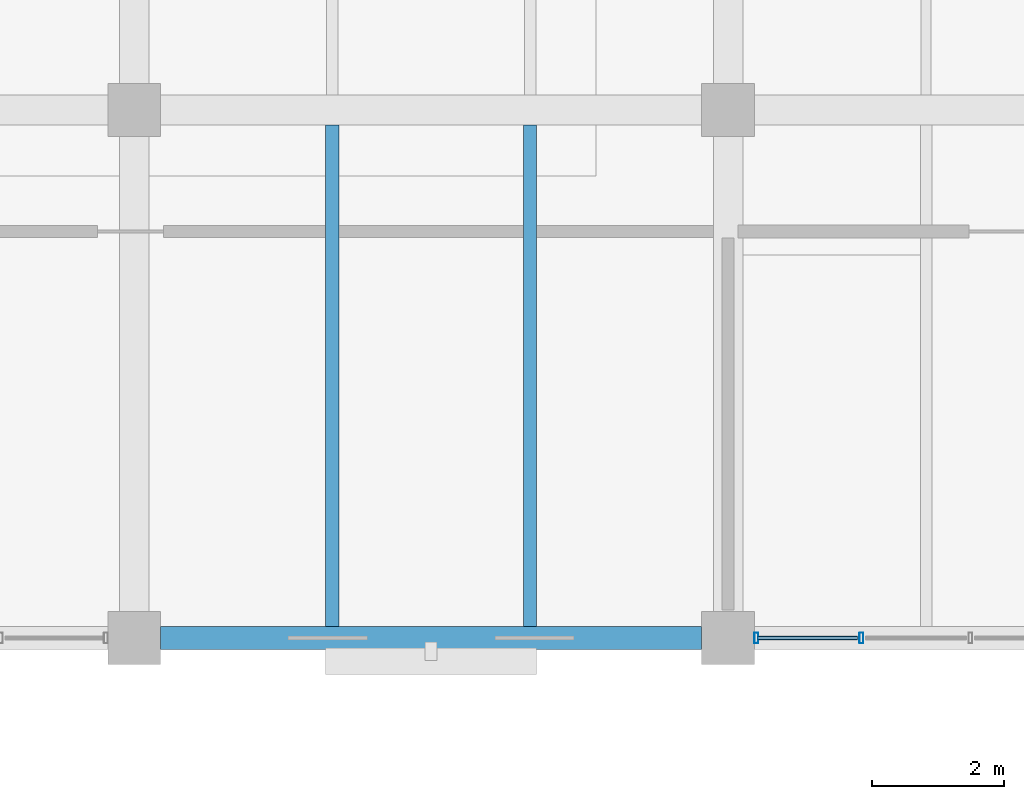
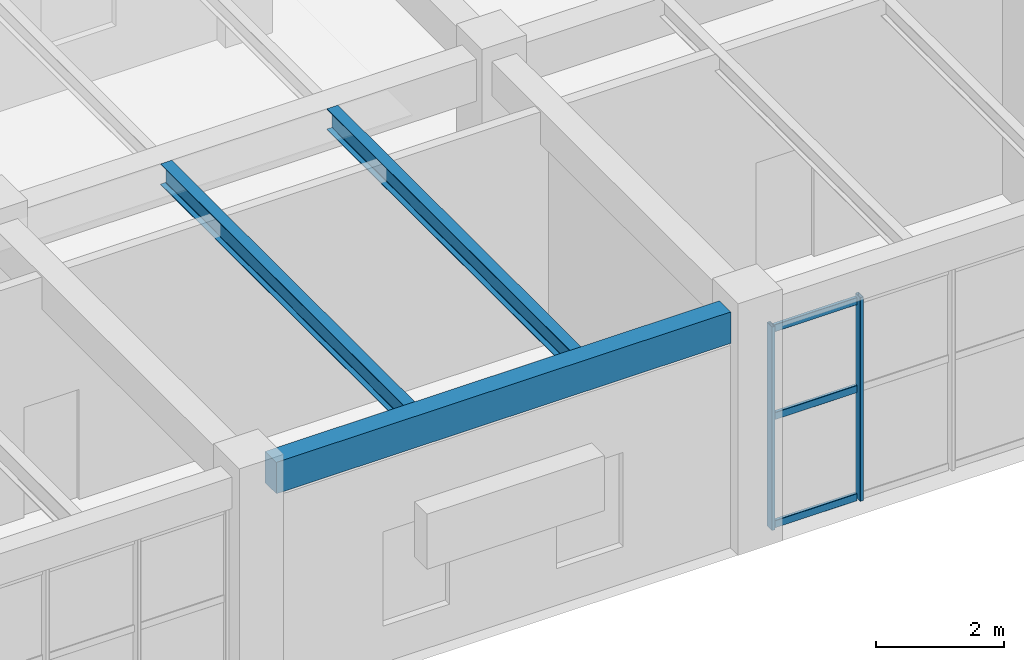
# One storey, part 110 of 178: 5 members, 3 beams, 1 element without a shape of its own.
"""IFC4 building model written with IfcOpenShell, lengths in metres."""

import ifcopenshell
import ifcopenshell.guid

model = None  # the IFC model being written
_history = None  # IfcOwnerHistory: only IFC2X3 demands one
_inside = {}  # id of a spatial element -> (the spatial element, [elements in it])
_under = {}  # id of a project, library or spatial element -> (it, [spatial elements below it])
_declared = {}  # id of a project -> (the project, [libraries it declares])
_typed = {}  # id of a type object -> (the type object, [elements of that type])
_made_of = {}  # id of a material, layer set ... -> (it, [elements and type objects made of it])


def new_model(schema):
    """Start an empty IFC model of exactly this schema.

    Asked for "IFC4X3", IfcOpenShell would pick the latest addendum, in which some entities
    have other attributes; the version numbers below select the first issue.
    IFC2X3 requires an IfcOwnerHistory on every rooted entity: one is made here for all.
    """
    global model, _history
    if schema == "IFC4X3":
        model = ifcopenshell.file(schema_version=(4, 3, 0, 0))
    else:
        model = ifcopenshell.file(schema=schema)
    _inside.clear()
    _under.clear()
    _declared.clear()
    _typed.clear()
    _made_of.clear()
    _history = None
    if model.schema == "IFC2X3":
        org = make("IfcOrganization", Name="unknown")
        user = make(
            "IfcPersonAndOrganization",
            ThePerson=make("IfcPerson", FamilyName="unknown"),
            TheOrganization=org,
        )
        app = make(
            "IfcApplication",
            ApplicationDeveloper=org,
            Version="unknown",
            ApplicationFullName="unknown",
            ApplicationIdentifier="unknown",
        )
        _history = make(
            "IfcOwnerHistory",
            OwningUser=user,
            OwningApplication=app,
            ChangeAction="ADDED",
            CreationDate=0,
        )
    return model


def make(cls, **values):
    """One entity of the class cls with the attributes given. An attribute that is None is left unset."""
    return model.create_entity(
        cls, **{name: value for name, value in values.items() if value is not None}
    )


def rooted(cls, **values):
    """An entity with a GlobalId (a new one), such as an element, a storey or a relation."""
    return make(cls, GlobalId=ifcopenshell.guid.new(), OwnerHistory=_history, **values)


def si_unit(unit_type, name, prefix=None):
    """IfcSIUnit, for example si_unit("LENGTHUNIT", "METRE", prefix="MILLI")."""
    return make("IfcSIUnit", UnitType=unit_type, Prefix=prefix, Name=name)


def derived_unit(unit_type, elements):
    """IfcDerivedUnit: a product of units, each with its exponent."""
    return make(
        "IfcDerivedUnit",
        Elements=[
            make("IfcDerivedUnitElement", Unit=unit, Exponent=power)
            for unit, power in elements
        ],
        UnitType=unit_type,
    )


def assignment(units):
    """IfcUnitAssignment: the units of a project."""
    return None if units is None else make("IfcUnitAssignment", Units=units)


def point(xyz):
    """IfcCartesianPoint."""
    return None if xyz is None else make("IfcCartesianPoint", Coordinates=xyz)


def direction(xyz):
    """IfcDirection."""
    return None if xyz is None else make("IfcDirection", DirectionRatios=xyz)


def frame(location, z_axis=None, x_axis=None):
    """IfcAxis2Placement3D, a coordinate frame: its origin and axes. An axis left out is left unset."""
    return make(
        "IfcAxis2Placement3D",
        Location=point(location),
        Axis=direction(z_axis),
        RefDirection=direction(x_axis),
    )


def frame_2d(location, x_axis=None):
    """IfcAxis2Placement2D, a coordinate frame in the plane: its origin and x axis."""
    return make(
        "IfcAxis2Placement2D", Location=point(location), RefDirection=direction(x_axis)
    )


def origin():
    """The frame at (0, 0, 0) with its axes left unset."""
    return frame((0.0, 0.0, 0.0))


def origin_2d():
    """The frame at (0, 0) in the plane with its x axis left unset."""
    return frame_2d((0.0, 0.0))


def place(relative_to, where):
    """IfcLocalPlacement: puts the frame where relative to a parent placement (None: the world)."""
    return make(
        "IfcLocalPlacement", PlacementRelTo=relative_to, RelativePlacement=where
    )


def context(
    kind, dimensions, precision=None, world=None, true_north=None, identifier=None
):
    """IfcGeometricRepresentationContext, for example the 3D "Model" context."""
    return make(
        "IfcGeometricRepresentationContext",
        ContextIdentifier=identifier,
        ContextType=kind,
        CoordinateSpaceDimension=dimensions,
        Precision=precision,
        WorldCoordinateSystem=world,
        TrueNorth=true_north,
    )


def subcontext(parent, identifier, kind, view, scale=None):
    """IfcGeometricRepresentationSubContext, for example "Body" below "Model"."""
    return make(
        "IfcGeometricRepresentationSubContext",
        ContextIdentifier=identifier,
        ContextType=kind,
        ParentContext=parent,
        TargetScale=scale,
        TargetView=view,
    )


def project(units=None, contexts=None):
    """IfcProject with its units and contexts."""
    return rooted(
        "IfcProject",
        Name="project",
        RepresentationContexts=contexts,
        UnitsInContext=assignment(units),
    )


def spatial(cls, under=None, at=None, **own):
    """A site, building, storey or space (cls), placed at a placement, below another one or the project."""
    s = rooted(cls, ObjectPlacement=at, **own)
    if under is not None:
        _under.setdefault(under.id(), (under, []))[1].append(s)
    return s


def profile(cls, at=None, kind="AREA", **sizes):
    """A parametric profile (cls). Its sizes go by their IFC names, for example OverallWidth=200.0."""
    return make(cls, ProfileType=kind, Position=at, **sizes)


def rectangle(**sizes):
    """IfcRectangleProfileDef."""
    return profile("IfcRectangleProfileDef", **sizes)


def hollow_rectangle(**sizes):
    """IfcRectangleHollowProfileDef."""
    return profile("IfcRectangleHollowProfileDef", **sizes)


def i_section(**sizes):
    """IfcIShapeProfileDef."""
    return profile("IfcIShapeProfileDef", **sizes)


def extrude(swept, where, along, depth):
    """IfcExtrudedAreaSolid: the profile swept, set in the frame where, extruded along a direction by depth."""
    return make(
        "IfcExtrudedAreaSolid",
        SweptArea=swept,
        Position=where,
        ExtrudedDirection=direction(along),
        Depth=depth,
    )


def shape(context_of_items, identifier, shape_type, items):
    """IfcShapeRepresentation: the items that make up one representation, for example the "Body"."""
    return make(
        "IfcShapeRepresentation",
        ContextOfItems=context_of_items,
        RepresentationIdentifier=identifier,
        RepresentationType=shape_type,
        Items=items,
    )


def material(Name=None, Category=None):
    """IfcMaterial."""
    return make("IfcMaterial", Name=Name, Category=Category)


def material_profile(
    of_material, cross_section, Name=None, Category=None, Priority=None
):
    """IfcMaterialProfile: a cross section and its material."""
    return make(
        "IfcMaterialProfile",
        Name=Name,
        Material=of_material,
        Profile=cross_section,
        Priority=Priority,
        Category=Category,
    )


def profile_set(profiles, Name=None, composite=None):
    """IfcMaterialProfileSet."""
    return make(
        "IfcMaterialProfileSet",
        Name=Name,
        MaterialProfiles=profiles,
        CompositeProfile=composite,
    )


def made_of(thing, what):
    """Note that an element or type object is made of a material, layer set ...; save() writes the relation."""
    if what is not None:
        _made_of.setdefault(what.id(), (what, []))[1].append(thing)
    return thing


def type_object(cls, material=None, **own):
    """A type object (cls), such as IfcWallType, which elements share."""
    return made_of(rooted(cls, **own), material)


def element(
    cls,
    number,
    at=None,
    inside=None,
    cuts=None,
    type_object=None,
    material=None,
    context=None,
    identifier="Body",
    shape_type=None,
    held_by="IfcProductDefinitionShape",
    body=None,
    shapes=None,
    **own,
):
    """One element of the class cls, such as IfcWall. Its Tag is "e" and its number.

    at: its placement. inside: the storey or other place that contains it. cuts: it is an
    opening in that element (IfcRelVoidsElement). A single representation is given by context,
    identifier, shape_type and body (its items); several are given by shapes. held_by: the class
    of the entity that holds the representations. save() writes the other relations.
    """
    e = rooted(cls, Tag="e%d" % number, ObjectPlacement=at, **own)
    if body is not None:
        shapes = [shape(context, identifier, shape_type, body)]
    if shapes is not None:
        e.Representation = make(held_by, Representations=shapes)
    if inside is not None:
        _inside.setdefault(inside.id(), (inside, []))[1].append(e)
    if cuts is not None:
        rooted(
            "IfcRelVoidsElement", RelatingBuildingElement=cuts, RelatedOpeningElement=e
        )
    if type_object is not None:
        _typed.setdefault(type_object.id(), (type_object, []))[1].append(e)
    return made_of(e, material)


def aggregate(whole, parts):
    """IfcRelAggregates: a whole, such as a stair, and the parts it consists of."""
    return rooted("IfcRelAggregates", RelatingObject=whole, RelatedObjects=parts)


def save(model, path):
    """Write the relations noted so far, then the file.

    IfcRelAggregates (storeys below a building ...), IfcRelContainedInSpatialStructure (elements
    in a storey), IfcRelDefinesByType, IfcRelAssociatesMaterial and IfcRelDeclares: one each for
    every whole, place, type object, material and project.
    """
    for whole, parts in _under.values():
        aggregate(whole, parts)
    for where, things in _inside.values():
        rooted(
            "IfcRelContainedInSpatialStructure",
            RelatedElements=things,
            RelatingStructure=where,
        )
    for kind, things in _typed.values():
        rooted("IfcRelDefinesByType", RelatedObjects=things, RelatingType=kind)
    for what, things in _made_of.values():
        rooted("IfcRelAssociatesMaterial", RelatedObjects=things, RelatingMaterial=what)
    for by, libraries in _declared.values():
        rooted("IfcRelDeclares", RelatingContext=by, RelatedDefinitions=libraries)
    model.write(path)


model = new_model("IFC4")

# Units and contexts
model_context = context("Model", 3, precision=1e-05, world=origin(), true_north=direction((0.0, 1.0)))
body_context = subcontext(model_context, "Body", "Model", "MODEL_VIEW")
ifc_project = project(units=[si_unit("LENGTHUNIT", "METRE"), si_unit("AREAUNIT", "SQUARE_METRE"), si_unit("VOLUMEUNIT", "CUBIC_METRE"), si_unit("PLANEANGLEUNIT", "RADIAN"), si_unit("MASSUNIT", "GRAM", prefix="KILO"), derived_unit("THERMALTRANSMITTANCEUNIT", [(si_unit("MASSUNIT", "GRAM", prefix="KILO"), 1), (si_unit("TIMEUNIT", "SECOND"), -3), (si_unit("THERMODYNAMICTEMPERATUREUNIT", "KELVIN"), -1)])], contexts=[model_context])

# Site, building, storey
site_placement = place(None, origin())
site = spatial("IfcSite", under=ifc_project, at=site_placement, CompositionType="ELEMENT")
building_placement = place(site_placement, origin())
building = spatial("IfcBuilding", under=site, at=building_placement, Name="Zhenchuan Archway Interchange", CompositionType="ELEMENT")
storey_placement = place(building_placement, frame((0.0, 0.0, 5.39990234375)))
storey = spatial("IfcBuildingStorey", under=building, at=storey_placement, Name="L01", CompositionType="ELEMENT", Elevation=5.39990234375)

# Curtain wall, members
ifc_material_1 = material(Name="Anodised Aluminium", Category="aluminium")
curtain_wall_type = type_object("IfcCurtainWallType", Name="CW_UNIT_3", PredefinedType="NOTDEFINED", material=ifc_material_1)
curtain_wall_placement = place(storey_placement, origin())
curtain_wall = element("IfcCurtainWall", 1, at=curtain_wall_placement, inside=storey, type_object=curtain_wall_type, Name="Unitised curtain wall CW:L01:070", PredefinedType="NOTDEFINED")
ifc_material_profile_1 = material_profile(ifc_material_1, hollow_rectangle(XDim=0.06005859375, YDim=0.159912109375, WallThickness=0.00390625, InnerFilletRadius=0.00390625, OuterFilletRadius=0.008056640625, at=origin_2d()), Name="ALU 160x60x4")
ifc_profile_set_1 = profile_set([ifc_material_profile_1], Name="Anodised Aluminium")
member_type_1 = type_object("IfcMemberType", Name="CW_MUL_150", PredefinedType="MULLION", material=ifc_profile_set_1)
member_1_placement = place(storey_placement, frame((146.020751953125, 8.0, 0.0), z_axis=(0.0, 0.0, 1.0), x_axis=(1.0, 0.0, 0.0)))
member_1 = element("IfcMember", 2, at=member_1_placement, type_object=member_type_1, Name="CW:L01:070 mullion 4", PredefinedType="MULLION", context=body_context, shape_type="SweptSolid", body=[
    extrude(hollow_rectangle(XDim=0.06005859375, YDim=0.159912109375, WallThickness=0.00390625, InnerFilletRadius=0.00390625, OuterFilletRadius=0.008056640625, at=origin_2d()), origin(), (0.0, 0.0, 1.0), 3.880126953125),
])
member_2_placement = place(storey_placement, frame((144.427978515625, 8.0, 0.0), z_axis=(0.0, 0.0, 1.0), x_axis=(1.0, 0.0, 0.0)))
member_2 = element("IfcMember", 3, at=member_2_placement, type_object=member_type_1, Name="CW:L01:070 mullion 5", PredefinedType="MULLION", context=body_context, shape_type="SweptSolid", body=[
    extrude(hollow_rectangle(XDim=0.06005859375, YDim=0.159912109375, WallThickness=0.00390625, InnerFilletRadius=0.00390625, OuterFilletRadius=0.008056640625, at=origin_2d()), origin(), (0.0, 0.0, 1.0), 3.880126953125),
])
ifc_material_profile_2 = material_profile(ifc_material_1, hollow_rectangle(XDim=0.06005859375, YDim=0.139892578125, WallThickness=0.00341796875, InnerFilletRadius=0.00341796875, OuterFilletRadius=0.007080078125, at=origin_2d()), Name="ALU 140x60x3.5")
ifc_profile_set_2 = profile_set([ifc_material_profile_2], Name="Anodised Aluminium")
member_type_2 = type_object("IfcMemberType", Name="CW_TRN_140", PredefinedType="USERDEFINED", material=ifc_profile_set_2)
member_3_placement = place(storey_placement, frame((145.960693359375, 8.0, 0.06005859375), z_axis=(-1.0, 0.0, 0.0), x_axis=(0.0, -1.0, 0.0)))
member_3 = element("IfcMember", 4, at=member_3_placement, type_object=member_type_2, Name="CW:L01:070 transom 4-1", ObjectType="TRANSOM", PredefinedType="USERDEFINED", context=body_context, shape_type="SweptSolid", body=[
    extrude(hollow_rectangle(XDim=0.06005859375, YDim=0.139892578125, WallThickness=0.00341796875, InnerFilletRadius=0.00341796875, OuterFilletRadius=0.007080078125, at=origin_2d()), origin(), (0.0, 0.0, 1.0), 1.5126953125),
])
member_4_placement = place(storey_placement, frame((145.960693359375, 8.0, 2.123046875), z_axis=(-1.0, 0.0, 0.0), x_axis=(0.0, -1.0, 0.0)))
member_4 = element("IfcMember", 5, at=member_4_placement, type_object=member_type_2, Name="CW:L01:070 transom 4-2", ObjectType="TRANSOM", PredefinedType="USERDEFINED", context=body_context, shape_type="SweptSolid", body=[
    extrude(hollow_rectangle(XDim=0.06005859375, YDim=0.139892578125, WallThickness=0.00341796875, InnerFilletRadius=0.00341796875, OuterFilletRadius=0.007080078125, at=origin_2d()), origin(), (0.0, 0.0, 1.0), 1.5126953125),
])
member_5_placement = place(storey_placement, frame((145.960693359375, 8.0, 3.800048828125), z_axis=(-1.0, 0.0, 0.0), x_axis=(0.0, -1.0, 0.0)))
member_5 = element("IfcMember", 6, at=member_5_placement, type_object=member_type_2, Name="CW:L01:070 transom 4-3", ObjectType="TRANSOM", PredefinedType="USERDEFINED", context=body_context, shape_type="SweptSolid", body=[
    extrude(hollow_rectangle(XDim=0.06005859375, YDim=0.139892578125, WallThickness=0.00341796875, InnerFilletRadius=0.00341796875, OuterFilletRadius=0.007080078125, at=origin_2d()), origin(), (0.0, 0.0, 1.0), 1.5126953125),
])
aggregate(curtain_wall, [member_1, member_2, member_3, member_4, member_5])

# Beams
ifc_material_2 = material(Name="Steel Q355", Category="steel")
ifc_material_profile_3 = material_profile(ifc_material_2, i_section(OverallWidth=0.199951171875, OverallDepth=0.39990234375, WebThickness=0.008056640625, FlangeThickness=0.012939453125, FilletRadius=0.01611328125, at=origin_2d()), Name="HN 400x200")
ifc_profile_set_3 = profile_set([ifc_material_profile_3], Name="Steel Q355")
beam_type_1 = type_object("IfcBeamType", Name="JST_STL_HN400", PredefinedType="JOIST", material=ifc_profile_set_3)
for number, where, z_axis, x_axis, name in (
    (7, (138.0, 8.175048828125, 4.31005859375), (0.0, 1.0, 0.0), (-1.0, 0.0, 0.0), "Secondary joist 16-17/B-C #1 (L01)"),
    (8, (141.0, 8.175048828125, 4.31005859375), (0.0, 1.0, 0.0), (-1.0, 0.0, 0.0), "Secondary joist 16-17/B-C #2 (L01)"),
):
    element("IfcBeam", number, at=place(storey_placement, frame(where, z_axis=z_axis, x_axis=x_axis)), inside=storey, type_object=beam_type_1, Name=name, PredefinedType="JOIST", context=body_context, shape_type="SweptSolid", body=[
        extrude(i_section(OverallWidth=0.199951171875, OverallDepth=0.39990234375, WebThickness=0.008056640625, FlangeThickness=0.012939453125, FilletRadius=0.01611328125, at=origin_2d()), origin(), (0.0, 0.0, 1.0), 7.599853515625),
    ])
ifc_material_3 = material(Name="Concrete C40", Category="concrete")
ifc_material_profile_4 = material_profile(ifc_material_3, rectangle(XDim=0.35009765625, YDim=0.60009765625, at=origin_2d()), Name="RC 350x600")
ifc_profile_set_4 = profile_set([ifc_material_profile_4], Name="Concrete C40")
beam_type_2 = type_object("IfcBeamType", Name="SP_RC_350x600", PredefinedType="SPANDREL", material=ifc_profile_set_4)
beam_placement = place(storey_placement, frame((135.39990234375, 8.0, 4.210205078125), z_axis=(1.0, 0.0, 0.0), x_axis=(0.0, 1.0, 0.0)))
element("IfcBeam", 9, at=beam_placement, inside=storey, type_object=beam_type_2, Name="Beam B:16-17 (L01)", PredefinedType="SPANDREL", context=body_context, shape_type="SweptSolid", body=[
    extrude(rectangle(XDim=0.35009765625, YDim=0.60009765625, at=origin_2d()), origin(), (0.0, 0.0, 1.0), 8.2001953125),
])

save(model, "model.ifc")
